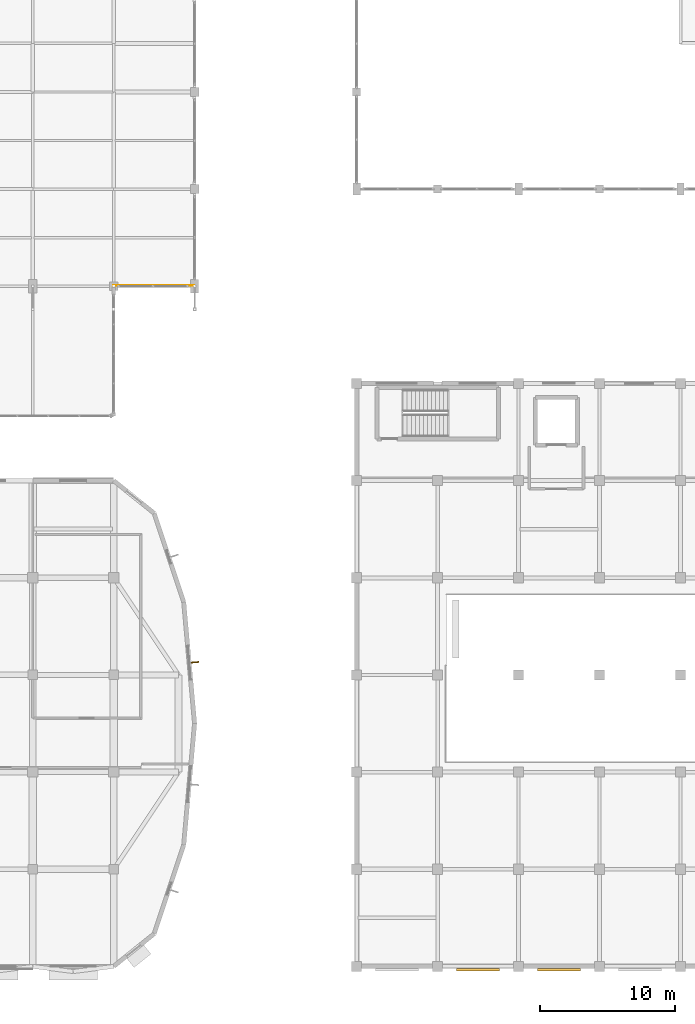
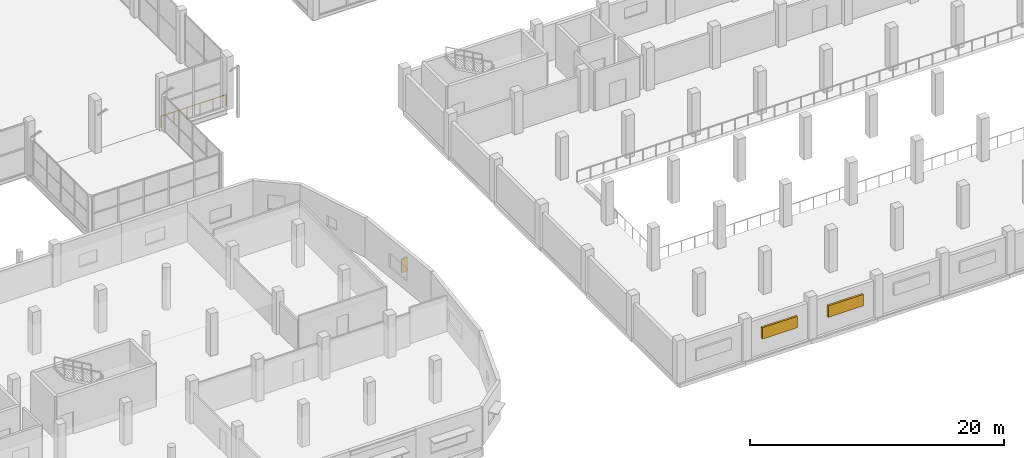
# One storey, part 122 of 127: 3 shading devices, 1 railing.
"""IFC4 building model written with IfcOpenShell, lengths in metres."""

from ifc_helpers import new_model, si_unit, direction, frame, origin, origin_2d, place, context, subcontext, project, spatial, rectangle, circle, extrude, material, layer, layer_set, type_object, element, save


model = new_model("IFC4")

# Units and contexts
model_context = context("Model", 3, precision=1e-05, world=origin(), true_north=direction((0.0, 1.0)))
body_context = subcontext(model_context, "Body", "Model", "MODEL_VIEW")
ifc_project = project(units=[si_unit("LENGTHUNIT", "METRE"), si_unit("AREAUNIT", "SQUARE_METRE"), si_unit("VOLUMEUNIT", "CUBIC_METRE"), si_unit("PLANEANGLEUNIT", "RADIAN"), si_unit("MASSUNIT", "GRAM", prefix="KILO")], contexts=[model_context])

# Site, building, storey
site_placement = place(None, origin())
site = spatial("IfcSite", under=ifc_project, at=site_placement, CompositionType="ELEMENT")
building_placement = place(site_placement, origin())
building = spatial("IfcBuilding", under=site, at=building_placement, Name="Dunvalen Ferry Terminal", CompositionType="ELEMENT")
storey_placement = place(building_placement, frame((0.0, 0.0, 5.760009765625)))
storey = spatial("IfcBuildingStorey", under=building, at=storey_placement, Name="L01", CompositionType="ELEMENT", Elevation=5.760009765625)

# Shading devices
ifc_material_1 = material(Name="Anodised marine aluminium EN AW-6063 T6", Category="aluminium")
ifc_layer_1 = layer(ifc_material_1, 0.080078125, Name="Anodised marine aluminium EN AW-6063 T6")
ifc_layer_set_1 = layer_set([ifc_layer_1], Name="Anodised marine aluminium EN AW-6063 T6")
shading_device_type_1 = type_object("IfcShadingDeviceType", Name="ENV-SHD-FIN01", PredefinedType="USERDEFINED", material=ifc_layer_set_1)
shading_device_placement = place(storey_placement, frame((96.02734375, 22.538330078125, 0.949951171875), z_axis=(0.0, 0.0, 1.0), x_axis=(-0.088957034029, 0.996035464277, 0.0)))
element("IfcShadingDevice", 1, at=shading_device_placement, inside=storey, type_object=shading_device_type_1, Name="L01 East Solar Fin 016", ObjectType="SOLAR FIN", PredefinedType="USERDEFINED", context=body_context, shape_type="SweptSolid", body=[
    extrude(rectangle(XDim=0.080078125, YDim=0.550048828125, at=origin_2d()), origin(), (0.0, 0.0, 1.0), 1.35009765625),
])
ifc_layer_2 = layer(ifc_material_1, 1.10009765625, Name="Anodised marine aluminium EN AW-6063 T6")
ifc_layer_set_2 = layer_set([ifc_layer_2], Name="Anodised marine aluminium EN AW-6063 T6")
shading_device_type_2 = type_object("IfcShadingDeviceType", Name="ENV-SHD-JAL01", PredefinedType="JALOUSIE", material=ifc_layer_set_2)
for number, where, z_axis, x_axis, name in (
    (2, (117.0, -0.25, 1.550048828125), (0.0, 0.0, 1.0), (1.0, 0.0, 0.0), "L01 Vehicle Deck Exhaust Louvre 02"),
    (3, (123.0, -0.25, 1.550048828125), (0.0, 0.0, 1.0), (1.0, 0.0, 0.0), "L01 Vehicle Deck Exhaust Louvre 03"),
):
    element("IfcShadingDevice", number, at=place(storey_placement, frame(where, z_axis=z_axis, x_axis=x_axis)), inside=storey, type_object=shading_device_type_2, Name=name, PredefinedType="JALOUSIE", context=body_context, shape_type="SweptSolid", body=[
        extrude(rectangle(XDim=3.199951171875, YDim=0.179931640625, at=origin_2d()), origin(), (0.0, 0.0, 1.0), 1.10009765625),
    ])

# Railing
ifc_material_2 = material(Name="Marine grade 316 stainless steel and laminated glass", Category="steel")
railing_type = type_object("IfcRailingType", Name="INT-RL-MZBAL", PredefinedType="BALUSTRADE", material=ifc_material_2)
railing_placement = place(storey_placement, frame((90.0, 50.449951171875, 0.0)))
element("IfcRailing", 4, at=railing_placement, inside=storey, type_object=railing_type, Name="L01 Internal Safety Guard BAL-V1-MEZZ-2", PredefinedType="BALUSTRADE", context=body_context, shape_type="SweptSolid", body=[
    extrude(circle(Radius=0.02392578125, at=origin_2d()), frame((0.0, 0.0, 1.09619140625), z_axis=(1.0, 0.0, 0.0), x_axis=(0.0, 1.0, 0.0)), (0.0, 0.0, 1.0), 5.949951171875),
    extrude(circle(Radius=0.02099609375, at=origin_2d()), origin(), (0.0, 0.0, 1.0), 1.072021484375),
    extrude(circle(Radius=0.02099609375, at=origin_2d()), frame((1.18994140625, 0.0, 0.0)), (0.0, 0.0, 1.0), 1.072021484375),
    extrude(circle(Radius=0.02099609375, at=origin_2d()), frame((2.3798828125, 0.0, 0.0)), (0.0, 0.0, 1.0), 1.072021484375),
    extrude(circle(Radius=0.02099609375, at=origin_2d()), frame((3.570068359375, 0.0, 0.0)), (0.0, 0.0, 1.0), 1.072021484375),
    extrude(circle(Radius=0.02099609375, at=origin_2d()), frame((4.760009765625, 0.0, 0.0)), (0.0, 0.0, 1.0), 1.072021484375),
    extrude(circle(Radius=0.02099609375, at=origin_2d()), frame((5.949951171875, 0.0, 0.0)), (0.0, 0.0, 1.0), 1.072021484375),
])

save(model, "model.ifc")
